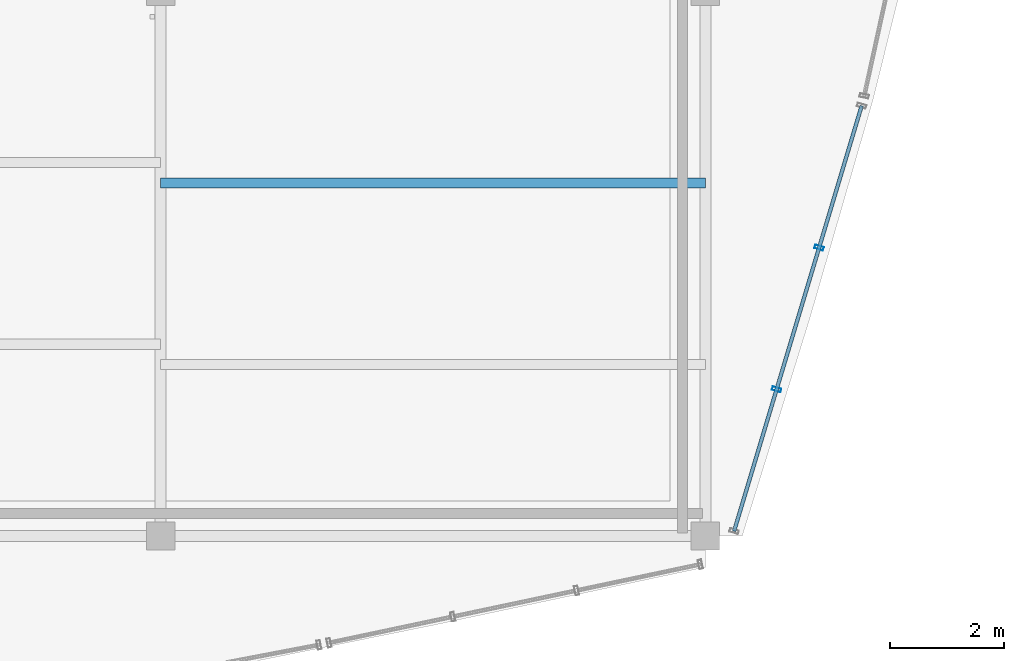
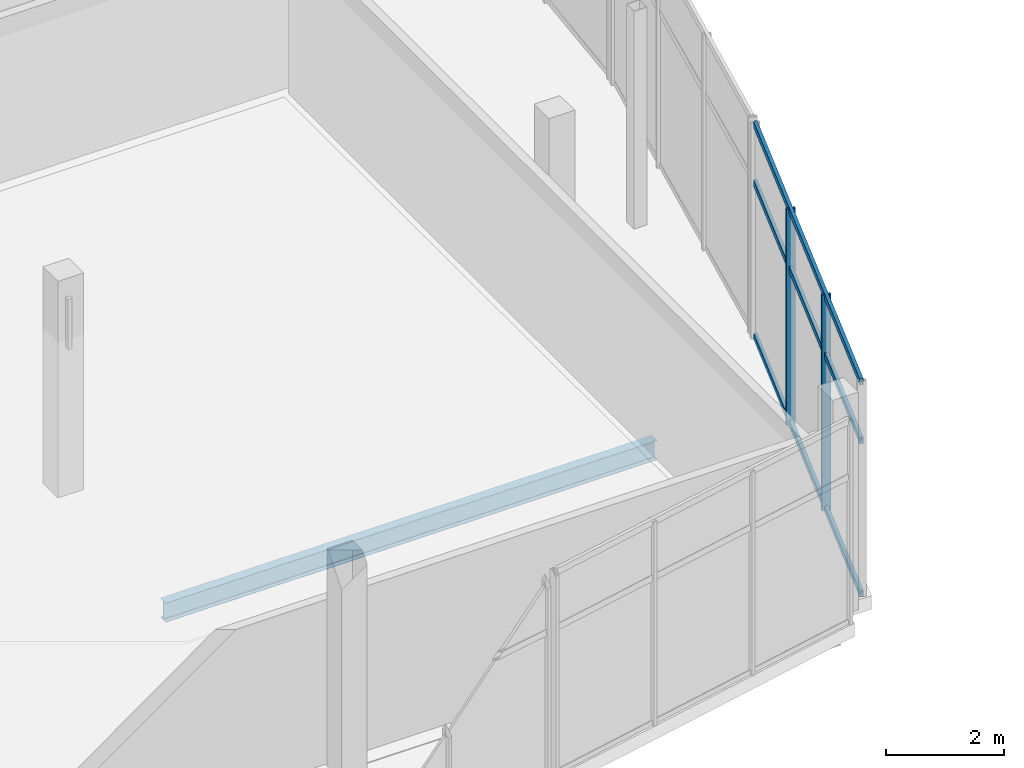
# One storey, part 61 of 114: 5 members, 1 beam, 1 element without a shape of its own.
"""IFC4 building model written with IfcOpenShell, lengths in metres."""

from ifc_helpers import new_model, si_unit, direction, frame, origin, origin_2d, place, context, subcontext, project, spatial, hollow_rectangle, i_section, extrude, material, layer, layer_set, material_profile, profile_set, type_object, element, aggregate, save


model = new_model("IFC4")

# Units and contexts
model_context = context("Model", 3, precision=1e-05, world=origin(), true_north=direction((0.0, 1.0)))
body_context = subcontext(model_context, "Body", "Model", "MODEL_VIEW")
ifc_project = project(units=[si_unit("LENGTHUNIT", "METRE"), si_unit("AREAUNIT", "SQUARE_METRE"), si_unit("VOLUMEUNIT", "CUBIC_METRE"), si_unit("PLANEANGLEUNIT", "RADIAN"), si_unit("MASSUNIT", "GRAM", prefix="KILO")], contexts=[model_context])

# Site, building, storey
site_placement = place(None, origin())
site = spatial("IfcSite", under=ifc_project, at=site_placement, CompositionType="ELEMENT")
building_placement = place(site_placement, origin())
building = spatial("IfcBuilding", under=site, at=building_placement, Name="Chalmorin Arch Market", CompositionType="ELEMENT")
storey_placement = place(building_placement, frame((0.0, 0.0, 9.60009765625)))
storey = spatial("IfcBuildingStorey", under=building, at=storey_placement, Name="L02", CompositionType="ELEMENT", Elevation=9.60009765625)

# Curtain wall, members
ifc_material_1 = material(Name="Aluminium 6063-T6", Category="aluminium")
ifc_layer = layer(ifc_material_1, 0.159912109375)
ifc_layer_set = layer_set([ifc_layer], Name="Aluminium 6063-T6")
curtain_wall_type = type_object("IfcCurtainWallType", Name="CulinaryStudioCurtainWall-CW3-7820x4450", PredefinedType="NOTDEFINED", material=ifc_layer_set)
curtain_wall_placement = place(storey_placement, origin())
curtain_wall = element("IfcCurtainWall", 1, at=curtain_wall_placement, inside=storey, type_object=curtain_wall_type, Name="CW-03-180", PredefinedType="NOTDEFINED")
ifc_material_profile_1 = material_profile(ifc_material_1, hollow_rectangle(XDim=0.06494140625, YDim=0.159912109375, WallThickness=0.00390625, at=origin_2d()), Name="ALU65X160X4")
ifc_profile_set_1 = profile_set([ifc_material_profile_1], Name="Aluminium 6063-T6")
member_type_1 = type_object("IfcMemberType", Name="CurtainWallMullion-65x160", PredefinedType="MULLION", material=ifc_profile_set_1)
member_1_placement = place(storey_placement, frame((116.455322265625, 74.58447265625, 0.0), z_axis=(0.0, 0.0, 1.0), x_axis=(0.292371704723, 0.956304755963, 0.0)))
member_1 = element("IfcMember", 2, at=member_1_placement, type_object=member_type_1, Name="ML-180-02", PredefinedType="MULLION", context=body_context, shape_type="SweptSolid", body=[
    extrude(hollow_rectangle(XDim=0.06494140625, YDim=0.159912109375, WallThickness=0.00390625, at=origin_2d()), origin(), (0.0, 0.0, 1.0), 4.449951171875),
])
member_2_placement = place(storey_placement, frame((117.20458984375, 77.08251953125, 0.0), z_axis=(0.0, 0.0, 1.0), x_axis=(0.292371704723, 0.956304755963, 0.0)))
member_2 = element("IfcMember", 3, at=member_2_placement, type_object=member_type_1, Name="ML-180-03", PredefinedType="MULLION", context=body_context, shape_type="SweptSolid", body=[
    extrude(hollow_rectangle(XDim=0.06494140625, YDim=0.159912109375, WallThickness=0.00390625, at=origin_2d()), origin(), (0.0, 0.0, 1.0), 4.449951171875),
])
ifc_material_profile_2 = material_profile(ifc_material_1, hollow_rectangle(XDim=0.06494140625, YDim=0.1298828125, WallThickness=0.00390625, at=origin_2d()), Name="ALU65X130X4")
ifc_profile_set_2 = profile_set([ifc_material_profile_2], Name="Aluminium 6063-T6")
member_type_2 = type_object("IfcMemberType", Name="CurtainWallTransom-65x130", PredefinedType="USERDEFINED", material=ifc_profile_set_2)
member_3_placement = place(storey_placement, frame((115.705810546875, 72.086181640625, 0.034912109375), z_axis=(0.287336435381, 0.957829720202, 0.0), x_axis=(-0.957829720202, 0.287336435381, 0.0)))
member_3 = element("IfcMember", 4, at=member_3_placement, type_object=member_type_2, Name="TR-180-01", ObjectType="TRANSOM", PredefinedType="USERDEFINED", context=body_context, shape_type="SweptSolid", body=[
    extrude(hollow_rectangle(XDim=0.06494140625, YDim=0.1298828125, WallThickness=0.00390625, at=origin_2d()), origin(), (0.0, 0.0, 1.0), 7.82470703125),
])
member_4_placement = place(storey_placement, frame((115.705810546875, 72.086181640625, 3.203857421875), z_axis=(0.287336435381, 0.957829720202, 0.0), x_axis=(-0.957829720202, 0.287336435381, 0.0)))
member_4 = element("IfcMember", 5, at=member_4_placement, type_object=member_type_2, Name="TR-180-02", ObjectType="TRANSOM", PredefinedType="USERDEFINED", context=body_context, shape_type="SweptSolid", body=[
    extrude(hollow_rectangle(XDim=0.06494140625, YDim=0.1298828125, WallThickness=0.00390625, at=origin_2d()), origin(), (0.0, 0.0, 1.0), 7.82470703125),
])
member_5_placement = place(storey_placement, frame((115.705810546875, 72.086181640625, 4.414794921875), z_axis=(0.287336435381, 0.957829720202, 0.0), x_axis=(-0.957829720202, 0.287336435381, 0.0)))
member_5 = element("IfcMember", 6, at=member_5_placement, type_object=member_type_2, Name="TR-180-03", ObjectType="TRANSOM", PredefinedType="USERDEFINED", context=body_context, shape_type="SweptSolid", body=[
    extrude(hollow_rectangle(XDim=0.06494140625, YDim=0.1298828125, WallThickness=0.00390625, at=origin_2d()), origin(), (0.0, 0.0, 1.0), 7.82470703125),
])
aggregate(curtain_wall, [member_1, member_2, member_3, member_4, member_5])

# Beam
ifc_material_2 = material(Name="Steel A992 Grade 50", Category="steel")
ifc_material_profile_3 = material_profile(ifc_material_2, i_section(OverallWidth=0.177978515625, OverallDepth=0.403076171875, WebThickness=0.007568359375, FlangeThickness=0.010986328125, FilletRadius=0.01806640625, at=origin_2d()), Name="W16X36")
ifc_profile_set_3 = profile_set([ifc_material_profile_3], Name="Steel A992 Grade 50")
beam_type = type_object("IfcBeamType", Name="SecondaryFloorJoist-W16X36", PredefinedType="JOIST", material=ifc_profile_set_3)
beam_placement = place(storey_placement, frame((105.60009765625, 78.219970703125, -0.483642578125), z_axis=(1.0, 0.0, 0.0), x_axis=(0.0, 1.0, 0.0)))
element("IfcBeam", 7, at=beam_placement, inside=storey, type_object=beam_type, Name="BJ-W16B-1354", PredefinedType="JOIST", context=body_context, shape_type="SweptSolid", body=[
    extrude(i_section(OverallWidth=0.177978515625, OverallDepth=0.403076171875, WebThickness=0.007568359375, FlangeThickness=0.010986328125, FilletRadius=0.01806640625, at=origin_2d()), origin(), (0.0, 0.0, 1.0), 9.599853515625),
])

save(model, "model.ifc")
